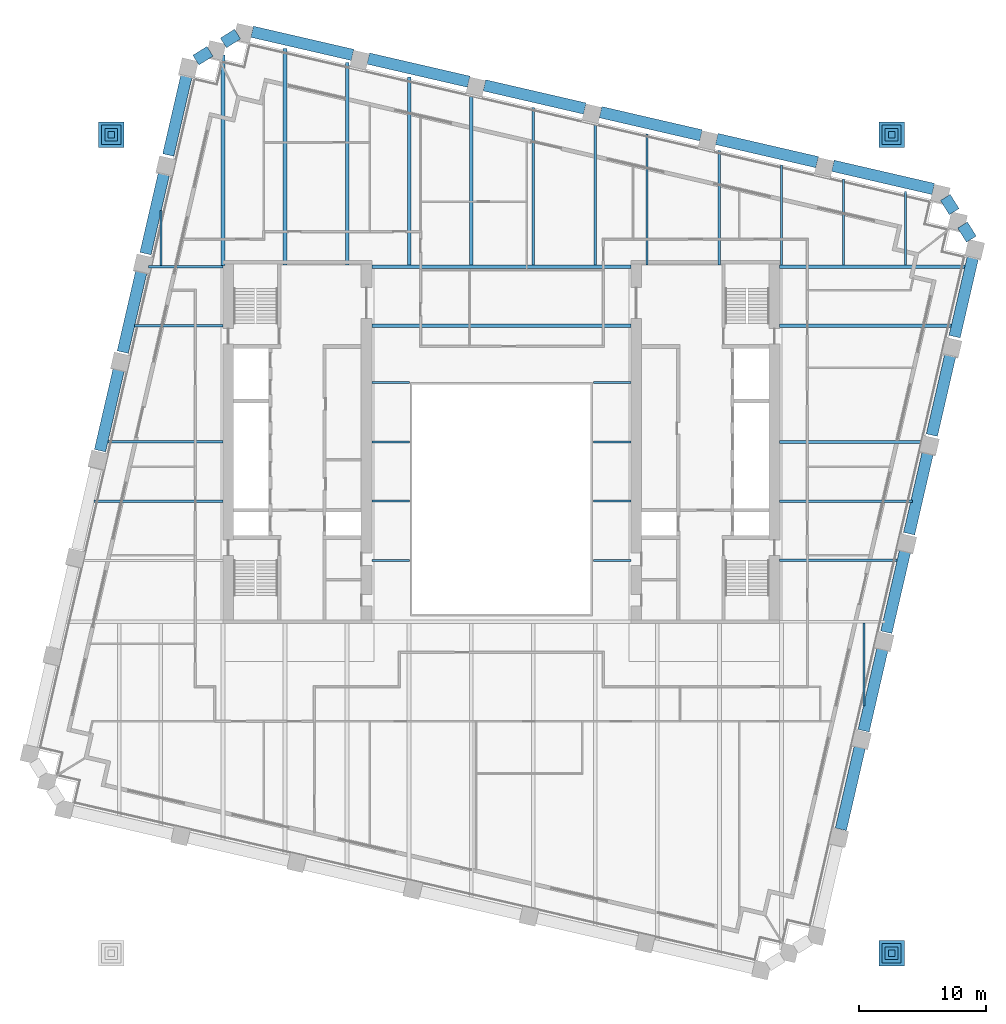
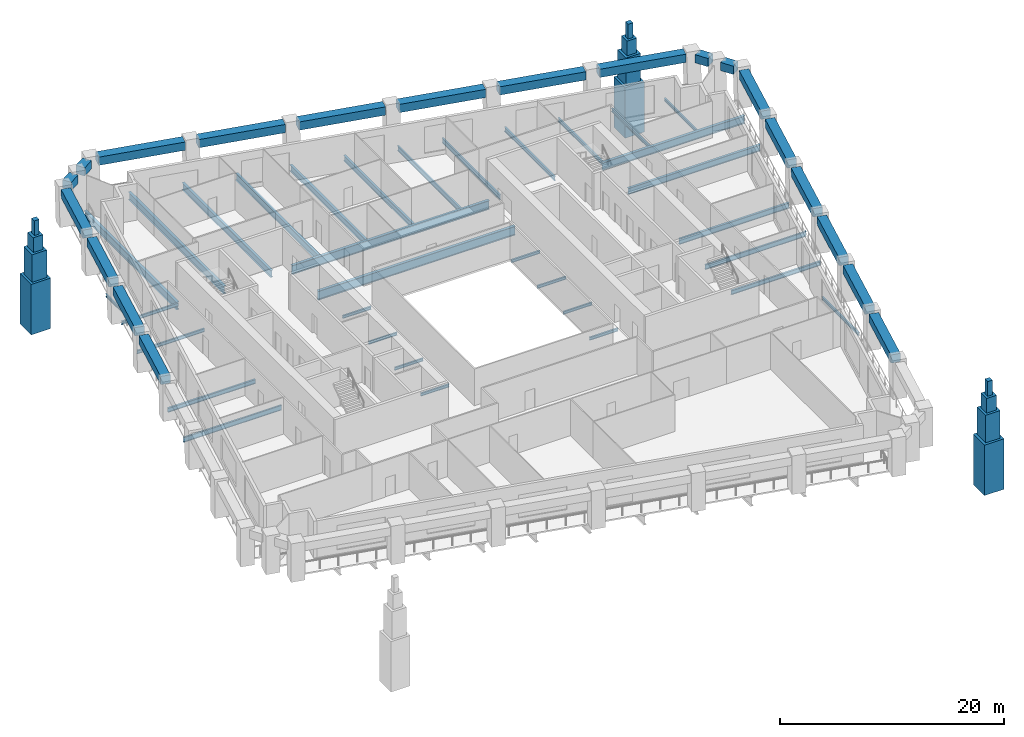
# One storey, part 2 of 10: 53 beams, 12 members.
"""IFC4 building model written with IfcOpenShell, lengths in metres."""

from ifc_helpers import new_model, si_unit, direction, frame, origin, origin_2d, place, context, subcontext, project, spatial, rectangle, i_section, extrude, material, material_profile, profile_set, type_object, element, save


model = new_model("IFC4")

# Units and contexts
model_context = context("Model", 3, precision=1e-05, world=origin(), true_north=direction((0.0, 1.0)))
body_context = subcontext(model_context, "Body", "Model", "MODEL_VIEW")
ifc_project = project(units=[si_unit("LENGTHUNIT", "METRE"), si_unit("AREAUNIT", "SQUARE_METRE"), si_unit("VOLUMEUNIT", "CUBIC_METRE"), si_unit("PLANEANGLEUNIT", "RADIAN"), si_unit("MASSUNIT", "GRAM", prefix="KILO")], contexts=[model_context])

# Site, building, storey
site_placement = place(None, origin())
site = spatial("IfcSite", under=ifc_project, at=site_placement, CompositionType="ELEMENT")
building_placement = place(site_placement, origin())
building = spatial("IfcBuilding", under=site, at=building_placement, Name="Ogive Exchange Tower", CompositionType="ELEMENT")
storey_placement = place(building_placement, frame((0.0, 0.0, 105.60009765625)))
storey = spatial("IfcBuildingStorey", under=building, at=storey_placement, Name="L22", CompositionType="ELEMENT", Elevation=105.60009765625)

# Beams
ifc_material_1 = material(Name="Steel ASTM A992 Gr50", Category="steel")
ifc_material_profile_1 = material_profile(ifc_material_1, i_section(OverallWidth=0.300048828125, OverallDepth=0.969970703125, WebThickness=0.01611328125, FlangeThickness=0.02099609375, at=origin_2d()), Name="W1000x222")
ifc_profile_set_1 = profile_set([ifc_material_profile_1], Name="Steel ASTM A992 Gr50")
beam_type_1 = type_object("IfcBeamType", Name="Floor beam W1000x222", PredefinedType="JOIST", material=ifc_profile_set_1)
beam_1_placement = place(storey_placement, frame((-10.169921875, 20.62255859375, -0.68505859375), z_axis=(1.0, 0.0, 0.0), x_axis=(0.0, 1.0, 0.0)))
element("IfcBeam", 1, at=beam_1_placement, inside=storey, type_object=beam_type_1, Name="Floor beam", PredefinedType="JOIST", context=body_context, shape_type="SweptSolid", body=[
    extrude(i_section(OverallWidth=0.300048828125, OverallDepth=0.969970703125, WebThickness=0.01611328125, FlangeThickness=0.02099609375, at=origin_2d()), origin(), (0.0, 0.0, 1.0), 20.33984375),
])
ifc_material_profile_2 = material_profile(ifc_material_1, i_section(OverallWidth=0.1650390625, OverallDepth=0.31005859375, WebThickness=0.005859375, FlangeThickness=0.009765625, at=origin_2d()), Name="W310x38.7")
ifc_profile_set_2 = profile_set([ifc_material_profile_2], Name="Steel ASTM A992 Gr50")
beam_type_2 = type_object("IfcBeamType", Name="Floor beam W310x38.7", PredefinedType="JOIST", material=ifc_profile_set_2)
for number, where, z_axis, x_axis, name in (
    (2, (-10.169921875, 2.208740234375, -0.35498046875), (1.0, 0.0, 0.0), (0.0, 1.0, 0.0), "Floor beam"),
    (3, (7.219970703125, 2.208740234375, -0.35498046875), (1.0, 0.0, 0.0), (0.0, 1.0, 0.0), "Floor beam"),
    (4, (-10.169921875, 6.857421875, -0.35498046875), (1.0, 0.0, 0.0), (0.0, 1.0, 0.0), "Floor beam"),
    (5, (7.219970703125, 6.857421875, -0.35498046875), (1.0, 0.0, 0.0), (0.0, 1.0, 0.0), "Floor beam"),
    (6, (-10.169921875, 11.50634765625, -0.35498046875), (1.0, 0.0, 0.0), (0.0, 1.0, 0.0), "Floor beam"),
    (7, (7.219970703125, 11.50634765625, -0.35498046875), (1.0, 0.0, 0.0), (0.0, 1.0, 0.0), "Floor beam"),
):
    element("IfcBeam", number, at=place(storey_placement, frame(where, z_axis=z_axis, x_axis=x_axis)), inside=storey, type_object=beam_type_2, Name=name, PredefinedType="JOIST", context=body_context, shape_type="SweptSolid", body=[
        extrude(i_section(OverallWidth=0.1650390625, OverallDepth=0.31005859375, WebThickness=0.005859375, FlangeThickness=0.009765625, at=origin_2d()), origin(), (0.0, 0.0, 1.0), 2.949951171875),
    ])
beam_2_placement = place(storey_placement, frame((28.42919921875, -9.206298828125, -0.35498046875), z_axis=(0.0, 1.0, 0.0), x_axis=(-1.0, 0.0, 0.0)))
element("IfcBeam", 8, at=beam_2_placement, inside=storey, type_object=beam_type_2, Name="Floor beam", PredefinedType="JOIST", context=body_context, shape_type="SweptSolid", body=[
    extrude(i_section(OverallWidth=0.1650390625, OverallDepth=0.31005859375, WebThickness=0.005859375, FlangeThickness=0.009765625, at=origin_2d()), origin(), (0.0, 0.0, 1.0), 6.515380859375),
])
beam_3_placement = place(storey_placement, frame((-26.70654296875, 25.33056640625, -0.35498046875), z_axis=(0.0, 1.0, 0.0), x_axis=(-1.0, 0.0, 0.0)))
element("IfcBeam", 9, at=beam_3_placement, inside=storey, type_object=beam_type_2, Name="Floor beam", PredefinedType="JOIST", context=body_context, shape_type="SweptSolid", body=[
    extrude(i_section(OverallWidth=0.1650390625, OverallDepth=0.31005859375, WebThickness=0.005859375, FlangeThickness=0.009765625, at=origin_2d()), origin(), (0.0, 0.0, 1.0), 4.337646484375),
])
beam_4_placement = place(storey_placement, frame((31.696044921875, 25.39111328125, -0.35498046875), z_axis=(0.0, 1.0, 0.0), x_axis=(-1.0, 0.0, 0.0)))
element("IfcBeam", 10, at=beam_4_placement, inside=storey, type_object=beam_type_2, Name="Floor beam", PredefinedType="JOIST", context=body_context, shape_type="SweptSolid", body=[
    extrude(i_section(OverallWidth=0.1650390625, OverallDepth=0.31005859375, WebThickness=0.005859375, FlangeThickness=0.009765625, at=origin_2d()), origin(), (0.0, 0.0, 1.0), 5.751953125),
])
ifc_material_profile_3 = material_profile(ifc_material_1, i_section(OverallWidth=0.1708984375, OverallDepth=0.35595703125, WebThickness=0.00732421875, FlangeThickness=0.01171875, at=origin_2d()), Name="W360x51")
ifc_profile_set_3 = profile_set([ifc_material_profile_3], Name="Steel ASTM A992 Gr50")
beam_type_3 = type_object("IfcBeamType", Name="Floor beam W360x51", PredefinedType="JOIST", material=ifc_profile_set_3)
beam_5_placement = place(storey_placement, frame((-28.76025390625, 20.62255859375, -0.378173828125), z_axis=(1.0, 0.0, 0.0), x_axis=(0.0, 1.0, 0.0)))
element("IfcBeam", 11, at=beam_5_placement, inside=storey, type_object=beam_type_3, Name="Floor beam", PredefinedType="JOIST", context=body_context, shape_type="SweptSolid", body=[
    extrude(i_section(OverallWidth=0.1708984375, OverallDepth=0.35595703125, WebThickness=0.00732421875, FlangeThickness=0.01171875, at=origin_2d()), origin(), (0.0, 0.0, 1.0), 6.93017578125),
])
beam_6_placement = place(storey_placement, frame((26.8291015625, 25.39111328125, -0.378173828125), z_axis=(0.0, 1.0, 0.0), x_axis=(-1.0, 0.0, 0.0)))
element("IfcBeam", 12, at=beam_6_placement, inside=storey, type_object=beam_type_3, Name="Floor beam", PredefinedType="JOIST", context=body_context, shape_type="SweptSolid", body=[
    extrude(i_section(OverallWidth=0.1708984375, OverallDepth=0.35595703125, WebThickness=0.00732421875, FlangeThickness=0.01171875, at=origin_2d()), origin(), (0.0, 0.0, 1.0), 6.7255859375),
])
ifc_material_profile_4 = material_profile(ifc_material_1, i_section(OverallWidth=0.177978515625, OverallDepth=0.406005859375, WebThickness=0.0078125, FlangeThickness=0.0126953125, at=origin_2d()), Name="W410x60")
ifc_profile_set_4 = profile_set([ifc_material_profile_4], Name="Steel ASTM A992 Gr50")
beam_type_4 = type_object("IfcBeamType", Name="Floor beam W410x60", PredefinedType="JOIST", material=ifc_profile_set_4)
beam_7_placement = place(storey_placement, frame((21.96240234375, 25.39111328125, -0.403076171875), z_axis=(0.0, 1.0, 0.0), x_axis=(-1.0, 0.0, 0.0)))
element("IfcBeam", 13, at=beam_7_placement, inside=storey, type_object=beam_type_4, Name="Floor beam", PredefinedType="JOIST", context=body_context, shape_type="SweptSolid", body=[
    extrude(i_section(OverallWidth=0.177978515625, OverallDepth=0.406005859375, WebThickness=0.0078125, FlangeThickness=0.0126953125, at=origin_2d()), origin(), (0.0, 0.0, 1.0), 7.849365234375),
])
ifc_material_profile_5 = material_profile(ifc_material_1, i_section(OverallWidth=0.19091796875, OverallDepth=0.45703125, WebThickness=0.009033203125, FlangeThickness=0.014404296875, at=origin_2d()), Name="W460x74")
ifc_profile_set_5 = profile_set([ifc_material_profile_5], Name="Steel ASTM A992 Gr50")
beam_type_5 = type_object("IfcBeamType", Name="Floor beam W460x74", PredefinedType="JOIST", material=ifc_profile_set_5)
beam_8_placement = place(storey_placement, frame((21.830078125, 2.208740234375, -0.4287109375), z_axis=(1.0, 0.0, 0.0), x_axis=(0.0, 1.0, 0.0)))
element("IfcBeam", 14, at=beam_8_placement, inside=storey, type_object=beam_type_5, Name="Floor beam", PredefinedType="JOIST", context=body_context, shape_type="SweptSolid", body=[
    extrude(i_section(OverallWidth=0.19091796875, OverallDepth=0.45703125, WebThickness=0.009033203125, FlangeThickness=0.014404296875, at=origin_2d()), origin(), (0.0, 0.0, 1.0), 9.199951171875),
])
beam_9_placement = place(storey_placement, frame((-30.864990234375, 11.50634765625, -0.4287109375), z_axis=(1.0, 0.0, 0.0), x_axis=(0.0, 1.0, 0.0)))
element("IfcBeam", 15, at=beam_9_placement, inside=storey, type_object=beam_type_5, Name="Floor beam", PredefinedType="JOIST", context=body_context, shape_type="SweptSolid", body=[
    extrude(i_section(OverallWidth=0.19091796875, OverallDepth=0.45703125, WebThickness=0.009033203125, FlangeThickness=0.014404296875, at=origin_2d()), origin(), (0.0, 0.0, 1.0), 9.034912109375),
])
beam_10_placement = place(storey_placement, frame((17.095458984375, 25.39990234375, -0.4287109375), z_axis=(0.0, 1.0, 0.0), x_axis=(-1.0, 0.0, 0.0)))
element("IfcBeam", 16, at=beam_10_placement, inside=storey, type_object=beam_type_5, Name="Floor beam", PredefinedType="JOIST", context=body_context, shape_type="SweptSolid", body=[
    extrude(i_section(OverallWidth=0.19091796875, OverallDepth=0.45703125, WebThickness=0.009033203125, FlangeThickness=0.014404296875, at=origin_2d()), origin(), (0.0, 0.0, 1.0), 8.964111328125),
])
ifc_material_profile_6 = material_profile(ifc_material_1, i_section(OverallWidth=0.1669921875, OverallDepth=0.535888671875, WebThickness=0.01025390625, FlangeThickness=0.0166015625, at=origin_2d()), Name="W530x85")
ifc_profile_set_6 = profile_set([ifc_material_profile_6], Name="Steel ASTM A992 Gr50")
beam_type_6 = type_object("IfcBeamType", Name="Floor beam W530x85", PredefinedType="JOIST", material=ifc_profile_set_6)
beam_11_placement = place(storey_placement, frame((-31.938232421875, 6.857421875, -0.468017578125), z_axis=(1.0, 0.0, 0.0), x_axis=(0.0, 1.0, 0.0)))
element("IfcBeam", 17, at=beam_11_placement, inside=storey, type_object=beam_type_6, Name="Floor beam", PredefinedType="JOIST", context=body_context, shape_type="SweptSolid", body=[
    extrude(i_section(OverallWidth=0.1669921875, OverallDepth=0.535888671875, WebThickness=0.01025390625, FlangeThickness=0.0166015625, at=origin_2d()), origin(), (0.0, 0.0, 1.0), 10.108154296875),
])
beam_12_placement = place(storey_placement, frame((21.830078125, 6.857421875, -0.468017578125), z_axis=(1.0, 0.0, 0.0), x_axis=(0.0, 1.0, 0.0)))
element("IfcBeam", 18, at=beam_12_placement, inside=storey, type_object=beam_type_6, Name="Floor beam", PredefinedType="JOIST", context=body_context, shape_type="SweptSolid", body=[
    extrude(i_section(OverallWidth=0.1669921875, OverallDepth=0.535888671875, WebThickness=0.01025390625, FlangeThickness=0.0166015625, at=origin_2d()), origin(), (0.0, 0.0, 1.0), 10.423095703125),
])
beam_13_placement = place(storey_placement, frame((7.36181640625, 25.39501953125, -0.468017578125), z_axis=(0.0, 1.0, 0.0), x_axis=(-1.0, 0.0, 0.0)))
element("IfcBeam", 19, at=beam_13_placement, inside=storey, type_object=beam_type_6, Name="Floor beam", PredefinedType="JOIST", context=body_context, shape_type="SweptSolid", body=[
    extrude(i_section(OverallWidth=0.1669921875, OverallDepth=0.535888671875, WebThickness=0.01025390625, FlangeThickness=0.0166015625, at=origin_2d()), origin(), (0.0, 0.0, 1.0), 11.216064453125),
])
beam_14_placement = place(storey_placement, frame((11.4287109375, 25.39990234375, -0.468017578125), z_axis=(0.0, 1.0, 0.0), x_axis=(-1.0, 0.0, 0.0)))
element("IfcBeam", 20, at=beam_14_placement, inside=storey, type_object=beam_type_6, Name="Floor beam", PredefinedType="JOIST", context=body_context, shape_type="SweptSolid", body=[
    extrude(i_section(OverallWidth=0.1669921875, OverallDepth=0.535888671875, WebThickness=0.01025390625, FlangeThickness=0.0166015625, at=origin_2d()), origin(), (0.0, 0.0, 1.0), 10.2724609375),
])
ifc_material_profile_7 = material_profile(ifc_material_1, i_section(OverallWidth=0.22802734375, OverallDepth=0.60205078125, WebThickness=0.010498046875, FlangeThickness=0.014892578125, at=origin_2d()), Name="W610x101")
ifc_profile_set_7 = profile_set([ifc_material_profile_7], Name="Steel ASTM A992 Gr50")
beam_type_7 = type_object("IfcBeamType", Name="Floor beam W610x101", PredefinedType="JOIST", material=ifc_profile_set_7)
beam_15_placement = place(storey_placement, frame((21.830078125, 11.50634765625, -0.5009765625), z_axis=(1.0, 0.0, 0.0), x_axis=(0.0, 1.0, 0.0)))
element("IfcBeam", 21, at=beam_15_placement, inside=storey, type_object=beam_type_7, Name="Floor beam", PredefinedType="JOIST", context=body_context, shape_type="SweptSolid", body=[
    extrude(i_section(OverallWidth=0.22802734375, OverallDepth=0.60205078125, WebThickness=0.010498046875, FlangeThickness=0.014892578125, at=origin_2d()), origin(), (0.0, 0.0, 1.0), 11.346435546875),
])
beam_16_placement = place(storey_placement, frame((2.494873046875, 25.39501953125, -0.5009765625), z_axis=(0.0, 1.0, 0.0), x_axis=(-1.0, 0.0, 0.0)))
element("IfcBeam", 22, at=beam_16_placement, inside=storey, type_object=beam_type_7, Name="Floor beam", PredefinedType="JOIST", context=body_context, shape_type="SweptSolid", body=[
    extrude(i_section(OverallWidth=0.22802734375, OverallDepth=0.60205078125, WebThickness=0.010498046875, FlangeThickness=0.014892578125, at=origin_2d()), origin(), (0.0, 0.0, 1.0), 12.33984375),
])
ifc_material_profile_8 = material_profile(ifc_material_1, i_section(OverallWidth=0.25390625, OverallDepth=0.677978515625, WebThickness=0.01171875, FlangeThickness=0.016357421875, at=origin_2d()), Name="W690x125")
ifc_profile_set_8 = profile_set([ifc_material_profile_8], Name="Steel ASTM A992 Gr50")
beam_type_8 = type_object("IfcBeamType", Name="Floor beam W690x125", PredefinedType="JOIST", material=ifc_profile_set_8)
beam_17_placement = place(storey_placement, frame((21.830078125, 20.62255859375, -0.5390625), z_axis=(1.0, 0.0, 0.0), x_axis=(0.0, 1.0, 0.0)))
element("IfcBeam", 23, at=beam_17_placement, inside=storey, type_object=beam_type_8, Name="Floor beam", PredefinedType="JOIST", context=body_context, shape_type="SweptSolid", body=[
    extrude(i_section(OverallWidth=0.25390625, OverallDepth=0.677978515625, WebThickness=0.01171875, FlangeThickness=0.016357421875, at=origin_2d()), origin(), (0.0, 0.0, 1.0), 13.60107421875),
])
beam_18_placement = place(storey_placement, frame((-2.3720703125, 25.39501953125, -0.5390625), z_axis=(0.0, 1.0, 0.0), x_axis=(-1.0, 0.0, 0.0)))
element("IfcBeam", 24, at=beam_18_placement, inside=storey, type_object=beam_type_8, Name="Floor beam", PredefinedType="JOIST", context=body_context, shape_type="SweptSolid", body=[
    extrude(i_section(OverallWidth=0.25390625, OverallDepth=0.677978515625, WebThickness=0.01171875, FlangeThickness=0.016357421875, at=origin_2d()), origin(), (0.0, 0.0, 1.0), 13.46337890625),
])
ifc_material_profile_9 = material_profile(ifc_material_1, i_section(OverallWidth=0.26708984375, OverallDepth=0.75390625, WebThickness=0.01318359375, FlangeThickness=0.01708984375, at=origin_2d()), Name="W760x147")
ifc_profile_set_9 = profile_set([ifc_material_profile_9], Name="Steel ASTM A992 Gr50")
beam_type_9 = type_object("IfcBeamType", Name="Floor beam W760x147", PredefinedType="JOIST", material=ifc_profile_set_9)
beam_19_placement = place(storey_placement, frame((-7.239013671875, 25.39501953125, -0.5771484375), z_axis=(0.0, 1.0, 0.0), x_axis=(-1.0, 0.0, 0.0)))
element("IfcBeam", 25, at=beam_19_placement, inside=storey, type_object=beam_type_9, Name="Floor beam", PredefinedType="JOIST", context=body_context, shape_type="SweptSolid", body=[
    extrude(i_section(OverallWidth=0.26708984375, OverallDepth=0.75390625, WebThickness=0.01318359375, FlangeThickness=0.01708984375, at=origin_2d()), origin(), (0.0, 0.0, 1.0), 14.737060546875),
])
ifc_material_profile_10 = material_profile(ifc_material_1, i_section(OverallWidth=0.26708984375, OverallDepth=0.761962890625, WebThickness=0.014404296875, FlangeThickness=0.021484375, at=origin_2d()), Name="W760x173")
ifc_profile_set_10 = profile_set([ifc_material_profile_10], Name="Steel ASTM A992 Gr50")
beam_type_10 = type_object("IfcBeamType", Name="Floor beam W760x173", PredefinedType="JOIST", material=ifc_profile_set_10)
beam_20_placement = place(storey_placement, frame((-12.10595703125, 25.39990234375, -0.5810546875), z_axis=(0.0, 1.0, 0.0), x_axis=(-1.0, 0.0, 0.0)))
element("IfcBeam", 26, at=beam_20_placement, inside=storey, type_object=beam_type_10, Name="Floor beam", PredefinedType="JOIST", context=body_context, shape_type="SweptSolid", body=[
    extrude(i_section(OverallWidth=0.26708984375, OverallDepth=0.761962890625, WebThickness=0.014404296875, FlangeThickness=0.021484375, at=origin_2d()), origin(), (0.0, 0.0, 1.0), 15.855712890625),
])
ifc_material_profile_11 = material_profile(ifc_material_1, i_section(OverallWidth=0.2919921875, OverallDepth=0.8359375, WebThickness=0.013916015625, FlangeThickness=0.018798828125, at=origin_2d()), Name="W840x176")
ifc_profile_set_11 = profile_set([ifc_material_profile_11], Name="Steel ASTM A992 Gr50")
beam_type_11 = type_object("IfcBeamType", Name="Floor beam W840x176", PredefinedType="JOIST", material=ifc_profile_set_11)
beam_21_placement = place(storey_placement, frame((-21.839599609375, 25.33056640625, -0.6181640625), z_axis=(0.0, 1.0, 0.0), x_axis=(-1.0, 0.0, 0.0)))
element("IfcBeam", 27, at=beam_21_placement, inside=storey, type_object=beam_type_11, Name="Floor beam", PredefinedType="JOIST", context=body_context, shape_type="SweptSolid", body=[
    extrude(i_section(OverallWidth=0.2919921875, OverallDepth=0.8359375, WebThickness=0.013916015625, FlangeThickness=0.018798828125, at=origin_2d()), origin(), (0.0, 0.0, 1.0), 16.52783203125),
])
beam_22_placement = place(storey_placement, frame((-16.97265625, 25.39990234375, -0.6181640625), z_axis=(0.0, 1.0, 0.0), x_axis=(-1.0, 0.0, 0.0)))
element("IfcBeam", 28, at=beam_22_placement, inside=storey, type_object=beam_type_11, Name="Floor beam", PredefinedType="JOIST", context=body_context, shape_type="SweptSolid", body=[
    extrude(i_section(OverallWidth=0.2919921875, OverallDepth=0.8359375, WebThickness=0.013916015625, FlangeThickness=0.018798828125, at=origin_2d()), origin(), (0.0, 0.0, 1.0), 16.979248046875),
])
ifc_material_profile_12 = material_profile(ifc_material_1, i_section(OverallWidth=0.300048828125, OverallDepth=0.97998046875, WebThickness=0.0166015625, FlangeThickness=0.026123046875, at=origin_2d()), Name="W1000x249")
ifc_profile_set_12 = profile_set([ifc_material_profile_12], Name="Steel ASTM A992 Gr50")
beam_type_12 = type_object("IfcBeamType", Name="Girder W1000x249", PredefinedType="BEAM", material=ifc_profile_set_12)
beam_23_placement = place(storey_placement, frame((-10.169921875, 25.2451171875, -0.690185546875), z_axis=(1.0, 0.0, 0.0), x_axis=(0.0, 1.0, 0.0)))
element("IfcBeam", 29, at=beam_23_placement, inside=storey, type_object=beam_type_12, Name="Header girder", PredefinedType="BEAM", context=body_context, shape_type="SweptSolid", body=[
    extrude(i_section(OverallWidth=0.300048828125, OverallDepth=0.97998046875, WebThickness=0.0166015625, FlangeThickness=0.026123046875, at=origin_2d()), origin(), (0.0, 0.0, 1.0), 20.33984375),
])
ifc_material_profile_13 = material_profile(ifc_material_1, i_section(OverallWidth=0.1650390625, OverallDepth=0.31005859375, WebThickness=0.005859375, FlangeThickness=0.009765625, at=origin_2d()), Name="W310x38.7")
ifc_profile_set_13 = profile_set([ifc_material_profile_13], Name="Steel ASTM A992 Gr50")
beam_type_13 = type_object("IfcBeamType", Name="Girder W310x38.7", PredefinedType="BEAM", material=ifc_profile_set_13)
for number, where, z_axis, x_axis, name in (
    (30, (-10.169921875, 16.155029296875, -0.35498046875), (1.0, 0.0, 0.0), (0.0, 1.0, 0.0), "Trimmer girder"),
    (31, (7.219970703125, 16.155029296875, -0.35498046875), (1.0, 0.0, 0.0), (0.0, 1.0, 0.0), "Trimmer girder"),
):
    element("IfcBeam", number, at=place(storey_placement, frame(where, z_axis=z_axis, x_axis=x_axis)), inside=storey, type_object=beam_type_13, Name=name, PredefinedType="BEAM", context=body_context, shape_type="SweptSolid", body=[
        extrude(i_section(OverallWidth=0.1650390625, OverallDepth=0.31005859375, WebThickness=0.005859375, FlangeThickness=0.009765625, at=origin_2d()), origin(), (0.0, 0.0, 1.0), 2.949951171875),
    ])
ifc_material_profile_14 = material_profile(ifc_material_1, i_section(OverallWidth=0.1708984375, OverallDepth=0.35595703125, WebThickness=0.00732421875, FlangeThickness=0.01171875, at=origin_2d()), Name="W360x51")
ifc_profile_set_14 = profile_set([ifc_material_profile_14], Name="Steel ASTM A992 Gr50")
beam_type_14 = type_object("IfcBeamType", Name="Girder W360x51", PredefinedType="BEAM", material=ifc_profile_set_14)
beam_24_placement = place(storey_placement, frame((-27.693115234375, 25.2451171875, -0.378173828125), z_axis=(1.0, 0.0, 0.0), x_axis=(0.0, 1.0, 0.0)))
element("IfcBeam", 32, at=beam_24_placement, inside=storey, type_object=beam_type_14, Name="Header girder", PredefinedType="BEAM", context=body_context, shape_type="SweptSolid", body=[
    extrude(i_section(OverallWidth=0.1708984375, OverallDepth=0.35595703125, WebThickness=0.00732421875, FlangeThickness=0.01171875, at=origin_2d()), origin(), (0.0, 0.0, 1.0), 5.863037109375),
])
ifc_material_profile_15 = material_profile(ifc_material_1, i_section(OverallWidth=0.2919921875, OverallDepth=0.8359375, WebThickness=0.013916015625, FlangeThickness=0.018798828125, at=origin_2d()), Name="W840x176")
ifc_profile_set_15 = profile_set([ifc_material_profile_15], Name="Steel ASTM A992 Gr50")
beam_type_15 = type_object("IfcBeamType", Name="Girder W840x176", PredefinedType="BEAM", material=ifc_profile_set_15)
beam_25_placement = place(storey_placement, frame((21.830078125, 25.2451171875, -0.6181640625), z_axis=(1.0, 0.0, 0.0), x_axis=(0.0, 1.0, 0.0)))
element("IfcBeam", 33, at=beam_25_placement, inside=storey, type_object=beam_type_15, Name="Header girder", PredefinedType="BEAM", context=body_context, shape_type="SweptSolid", body=[
    extrude(i_section(OverallWidth=0.2919921875, OverallDepth=0.8359375, WebThickness=0.013916015625, FlangeThickness=0.018798828125, at=origin_2d()), origin(), (0.0, 0.0, 1.0), 14.668212890625),
])

# Members
ifc_material_2 = material(Name="Precast concrete C50/60", Category="concrete")
ifc_material_profile_16 = material_profile(ifc_material_2, rectangle(XDim=2.0, YDim=2.0, at=origin_2d()), Name="PINNACLE 1 2000 x 2000")
ifc_profile_set_16 = profile_set([ifc_material_profile_16], Name="Precast concrete C50/60")
member_type_1 = type_object("IfcMemberType", Name="Precast pinnacle stage 1 2000 x 2000 C50/60", PredefinedType="USERDEFINED", material=ifc_profile_set_16)
for number, where, z_axis, x_axis, name in (
    (34, (30.60009765625, -28.60009765625, -6.0), (0.0, 0.0, 1.0), (1.0, 0.0, 0.0), "Head pinnacle 1-1"),
    (35, (30.60009765625, 35.60009765625, -6.0), (0.0, 0.0, 1.0), (1.0, 0.0, 0.0), "Head pinnacle 1-2"),
    (36, (-30.60009765625, 35.60009765625, -6.0), (0.0, 0.0, 1.0), (1.0, 0.0, 0.0), "Head pinnacle 1-3"),
):
    element("IfcMember", number, at=place(storey_placement, frame(where, z_axis=z_axis, x_axis=x_axis)), inside=storey, type_object=member_type_1, Name=name, ObjectType="PINNACLE", PredefinedType="USERDEFINED", context=body_context, shape_type="SweptSolid", body=[
        extrude(rectangle(XDim=2.0, YDim=2.0, at=origin_2d()), origin(), (0.0, 0.0, 1.0), 5.5),
    ])
ifc_material_profile_17 = material_profile(ifc_material_2, rectangle(XDim=1.5, YDim=1.5, at=origin_2d()), Name="PINNACLE 2 1500 x 1500")
ifc_profile_set_17 = profile_set([ifc_material_profile_17], Name="Precast concrete C50/60")
member_type_2 = type_object("IfcMemberType", Name="Precast pinnacle stage 2 1500 x 1500 C50/60", PredefinedType="USERDEFINED", material=ifc_profile_set_17)
for number, where, z_axis, x_axis, name in (
    (37, (30.60009765625, -28.60009765625, -0.5), (0.0, 0.0, 1.0), (1.0, 0.0, 0.0), "Head pinnacle 1-1 stage 2"),
    (38, (30.60009765625, 35.60009765625, -0.5), (0.0, 0.0, 1.0), (1.0, 0.0, 0.0), "Head pinnacle 1-2 stage 2"),
    (39, (-30.60009765625, 35.60009765625, -0.5), (0.0, 0.0, 1.0), (1.0, 0.0, 0.0), "Head pinnacle 1-3 stage 2"),
):
    element("IfcMember", number, at=place(storey_placement, frame(where, z_axis=z_axis, x_axis=x_axis)), inside=storey, type_object=member_type_2, Name=name, ObjectType="PINNACLE", PredefinedType="USERDEFINED", context=body_context, shape_type="SweptSolid", body=[
        extrude(rectangle(XDim=1.5, YDim=1.5, at=origin_2d()), origin(), (0.0, 0.0, 1.0), 3.0),
    ])
ifc_material_profile_18 = material_profile(ifc_material_2, rectangle(XDim=1.0, YDim=1.0, at=origin_2d()), Name="PINNACLE 3 1000 x 1000")
ifc_profile_set_18 = profile_set([ifc_material_profile_18], Name="Precast concrete C50/60")
member_type_3 = type_object("IfcMemberType", Name="Precast pinnacle stage 3 1000 x 1000 C50/60", PredefinedType="USERDEFINED", material=ifc_profile_set_18)
for number, where, z_axis, x_axis, name in (
    (40, (30.60009765625, -28.60009765625, 2.5), (0.0, 0.0, 1.0), (1.0, 0.0, 0.0), "Head pinnacle 1-1 stage 3"),
    (41, (30.60009765625, 35.60009765625, 2.5), (0.0, 0.0, 1.0), (1.0, 0.0, 0.0), "Head pinnacle 1-2 stage 3"),
    (42, (-30.60009765625, 35.60009765625, 2.5), (0.0, 0.0, 1.0), (1.0, 0.0, 0.0), "Head pinnacle 1-3 stage 3"),
):
    element("IfcMember", number, at=place(storey_placement, frame(where, z_axis=z_axis, x_axis=x_axis)), inside=storey, type_object=member_type_3, Name=name, ObjectType="PINNACLE", PredefinedType="USERDEFINED", context=body_context, shape_type="SweptSolid", body=[
        extrude(rectangle(XDim=1.0, YDim=1.0, at=origin_2d()), origin(), (0.0, 0.0, 1.0), 1.599853515625),
    ])
ifc_material_profile_19 = material_profile(ifc_material_2, rectangle(XDim=0.5, YDim=0.5, at=origin_2d()), Name="PINNACLE 4 500 x 500")
ifc_profile_set_19 = profile_set([ifc_material_profile_19], Name="Precast concrete C50/60")
member_type_4 = type_object("IfcMemberType", Name="Precast pinnacle stage 4 500 x 500 C50/60", PredefinedType="USERDEFINED", material=ifc_profile_set_19)
for number, where, z_axis, x_axis, name in (
    (43, (30.60009765625, -28.60009765625, 4.099853515625), (0.0, 0.0, 1.0), (1.0, 0.0, 0.0), "Head pinnacle 1-1 stage 4"),
    (44, (30.60009765625, 35.60009765625, 4.099853515625), (0.0, 0.0, 1.0), (1.0, 0.0, 0.0), "Head pinnacle 1-2 stage 4"),
    (45, (-30.60009765625, 35.60009765625, 4.099853515625), (0.0, 0.0, 1.0), (1.0, 0.0, 0.0), "Head pinnacle 1-3 stage 4"),
):
    element("IfcMember", number, at=place(storey_placement, frame(where, z_axis=z_axis, x_axis=x_axis)), inside=storey, type_object=member_type_4, Name=name, ObjectType="PINNACLE", PredefinedType="USERDEFINED", context=body_context, shape_type="SweptSolid", body=[
        extrude(rectangle(XDim=0.5, YDim=0.5, at=origin_2d()), origin(), (0.0, 0.0, 1.0), 1.60009765625),
    ])

# Beams
ifc_material_3 = material(Name="Precast concrete C70/85 (limestone faced)", Category="masonry")
ifc_material_profile_20 = material_profile(ifc_material_3, rectangle(XDim=0.89990234375, YDim=0.89990234375, at=origin_2d()), Name="900 x 900")
ifc_profile_set_20 = profile_set([ifc_material_profile_20], Name="Precast concrete C70/85 (limestone faced)")
beam_type_16 = type_object("IfcBeamType", Name="Precast spandrel 900 x 900 C70/85", PredefinedType="SPANDREL", material=ifc_profile_set_20)
beam_26_placement = place(storey_placement, frame((26.623779296875, -18.876953125, 3.5), z_axis=(0.224950362033, 0.974370224617, 0.0), x_axis=(-0.974370224617, 0.224950362033, 0.0)))
element("IfcBeam", 46, at=beam_26_placement, inside=storey, type_object=beam_type_16, Name="Spandrel 10", PredefinedType="SPANDREL", context=body_context, shape_type="SweptSolid", body=[
    extrude(rectangle(XDim=0.89990234375, YDim=0.89990234375, at=origin_2d()), origin(), (0.0, 0.0, 1.0), 6.67236328125),
])
beam_27_placement = place(storey_placement, frame((28.408203125, -11.147705078125, 3.5), z_axis=(0.224958382112, 0.974368373008, 0.0), x_axis=(-0.974368373008, 0.224958382112, 0.0)))
element("IfcBeam", 47, at=beam_27_placement, inside=storey, type_object=beam_type_16, Name="Spandrel 11", PredefinedType="SPANDREL", context=body_context, shape_type="SweptSolid", body=[
    extrude(rectangle(XDim=0.89990234375, YDim=0.89990234375, at=origin_2d()), origin(), (0.0, 0.0, 1.0), 6.672119140625),
])
for number, where, z_axis, x_axis, name in (
    (48, (30.192626953125, -3.418701171875, 3.5), (0.224950362033, 0.974370224617, 0.0), (-0.974370224617, 0.224950362033, 0.0), "Spandrel 12"),
    (49, (31.97705078125, 4.310546875, 3.5), (0.224950362033, 0.974370224617, 0.0), (-0.974370224617, 0.224950362033, 0.0), "Spandrel 13"),
    (50, (33.761474609375, 12.03955078125, 3.5), (0.224950362033, 0.974370224617, 0.0), (-0.974370224617, 0.224950362033, 0.0), "Spandrel 14"),
    (51, (35.5458984375, 19.768798828125, 3.5), (0.224950362033, 0.974370224617, 0.0), (-0.974370224617, 0.224950362033, 0.0), "Spandrel 15"),
):
    element("IfcBeam", number, at=place(storey_placement, frame(where, z_axis=z_axis, x_axis=x_axis)), inside=storey, type_object=beam_type_16, Name=name, PredefinedType="SPANDREL", context=body_context, shape_type="SweptSolid", body=[
        extrude(rectangle(XDim=0.89990234375, YDim=0.89990234375, at=origin_2d()), origin(), (0.0, 0.0, 1.0), 6.67236328125),
    ])
for number, where, z_axis, x_axis, name in (
    (52, (36.8603515625, 27.4091796875, 3.5), (-0.529931776808, 0.848040277303, 0.0), (-0.848040277303, -0.529931776808, 0.0), "Spandrel 16"),
    (53, (35.511474609375, 29.568115234375, 3.5), (-0.529931776808, 0.848040277303, 0.0), (-0.848040277303, -0.529931776808, 0.0), "Spandrel 17"),
):
    element("IfcBeam", number, at=place(storey_placement, frame(where, z_axis=z_axis, x_axis=x_axis)), inside=storey, type_object=beam_type_16, Name=name, PredefinedType="SPANDREL", context=body_context, shape_type="SweptSolid", body=[
        extrude(rectangle(XDim=0.89990234375, YDim=0.89990234375, at=origin_2d()), origin(), (0.0, 0.0, 1.0), 1.30712890625),
    ])
for number, where, z_axis, x_axis, name in (
    (54, (33.876708984375, 31.343505859375, 3.5), (-0.974376952147, 0.224921219821, 0.0), (-0.224921219821, -0.974376952147, 0.0), "Spandrel 18"),
    (55, (24.766357421875, 33.44677734375, 3.5), (-0.974370337884, 0.224949871421, 0.0), (-0.224949871421, -0.974370337884, 0.0), "Spandrel 19"),
    (56, (15.656005859375, 35.550048828125, 3.5), (-0.974370337884, 0.224949871421, 0.0), (-0.224949871421, -0.974370337884, 0.0), "Spandrel 20"),
    (57, (6.545654296875, 37.6533203125, 3.5), (-0.974370337884, 0.224949871421, 0.0), (-0.224949871421, -0.974370337884, 0.0), "Spandrel 21"),
    (58, (-2.564697265625, 39.756591796875, 3.5), (-0.974370337884, 0.224949871421, 0.0), (-0.224949871421, -0.974370337884, 0.0), "Spandrel 22"),
    (59, (-11.675048828125, 41.85986328125, 3.5), (-0.974370337884, 0.224949871421, 0.0), (-0.224949871421, -0.974370337884, 0.0), "Spandrel 23"),
):
    element("IfcBeam", number, at=place(storey_placement, frame(where, z_axis=z_axis, x_axis=x_axis)), inside=storey, type_object=beam_type_16, Name=name, PredefinedType="SPANDREL", context=body_context, shape_type="SweptSolid", body=[
        extrude(rectangle(XDim=0.89990234375, YDim=0.89990234375, at=origin_2d()), origin(), (0.0, 0.0, 1.0), 8.08984375),
    ])
beam_28_placement = place(storey_placement, frame((-20.696533203125, 43.493408203125, 3.5), z_axis=(-0.848008795128, -0.529982153837, 0.0), x_axis=(0.529982153837, -0.848008795128, 0.0)))
element("IfcBeam", 60, at=beam_28_placement, inside=storey, type_object=beam_type_16, Name="Spandrel 24", PredefinedType="SPANDREL", context=body_context, shape_type="SweptSolid", body=[
    extrude(rectangle(XDim=0.89990234375, YDim=0.89990234375, at=origin_2d()), origin(), (0.0, 0.0, 1.0), 1.307373046875),
])
beam_29_placement = place(storey_placement, frame((-22.85546875, 42.144287109375, 3.5), z_axis=(-0.848040277303, -0.529931776808, 0.0), x_axis=(0.529931776808, -0.848040277303, 0.0)))
element("IfcBeam", 61, at=beam_29_placement, inside=storey, type_object=beam_type_16, Name="Spandrel 25", PredefinedType="SPANDREL", context=body_context, shape_type="SweptSolid", body=[
    extrude(rectangle(XDim=0.89990234375, YDim=0.89990234375, at=origin_2d()), origin(), (0.0, 0.0, 1.0), 1.30712890625),
])
for number, where, z_axis, x_axis, name in (
    (62, (-24.630859375, 40.509765625, 3.5), (-0.224950362033, -0.974370224617, 0.0), (0.974370224617, -0.224950362033, 0.0), "Spandrel 26"),
    (63, (-26.415283203125, 32.780517578125, 3.5), (-0.224950362033, -0.974370224617, 0.0), (0.974370224617, -0.224950362033, 0.0), "Spandrel 27"),
    (64, (-28.19970703125, 25.05126953125, 3.5), (-0.224950362033, -0.974370224617, 0.0), (0.974370224617, -0.224950362033, 0.0), "Spandrel 28"),
):
    element("IfcBeam", number, at=place(storey_placement, frame(where, z_axis=z_axis, x_axis=x_axis)), inside=storey, type_object=beam_type_16, Name=name, PredefinedType="SPANDREL", context=body_context, shape_type="SweptSolid", body=[
        extrude(rectangle(XDim=0.89990234375, YDim=0.89990234375, at=origin_2d()), origin(), (0.0, 0.0, 1.0), 6.67236328125),
    ])
beam_30_placement = place(storey_placement, frame((-29.98388671875, 17.322265625, 3.5), z_axis=(-0.224985099287, -0.974362204264, 0.0), x_axis=(0.974362204264, -0.224985099287, 0.0)))
element("IfcBeam", 65, at=beam_30_placement, inside=storey, type_object=beam_type_16, Name="Spandrel 29", PredefinedType="SPANDREL", context=body_context, shape_type="SweptSolid", body=[
    extrude(rectangle(XDim=0.89990234375, YDim=0.89990234375, at=origin_2d()), origin(), (0.0, 0.0, 1.0), 6.672607421875),
])

save(model, "model.ifc")
